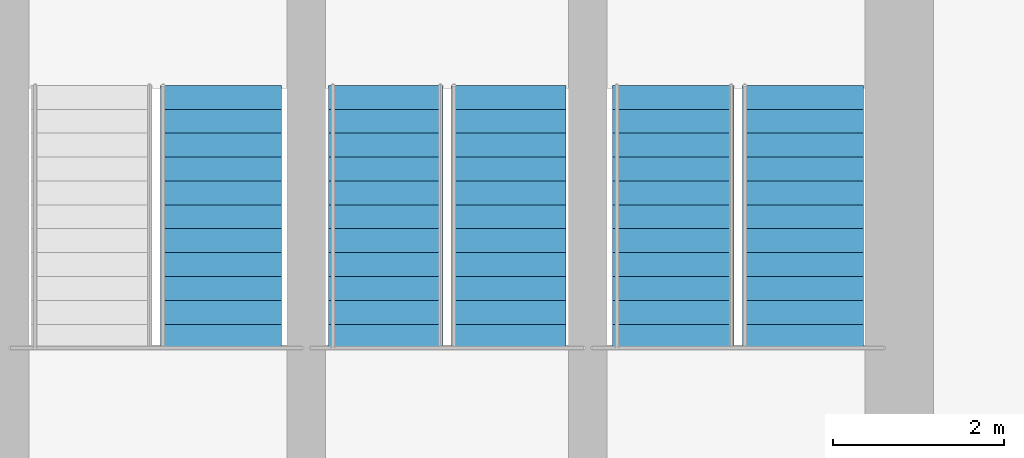
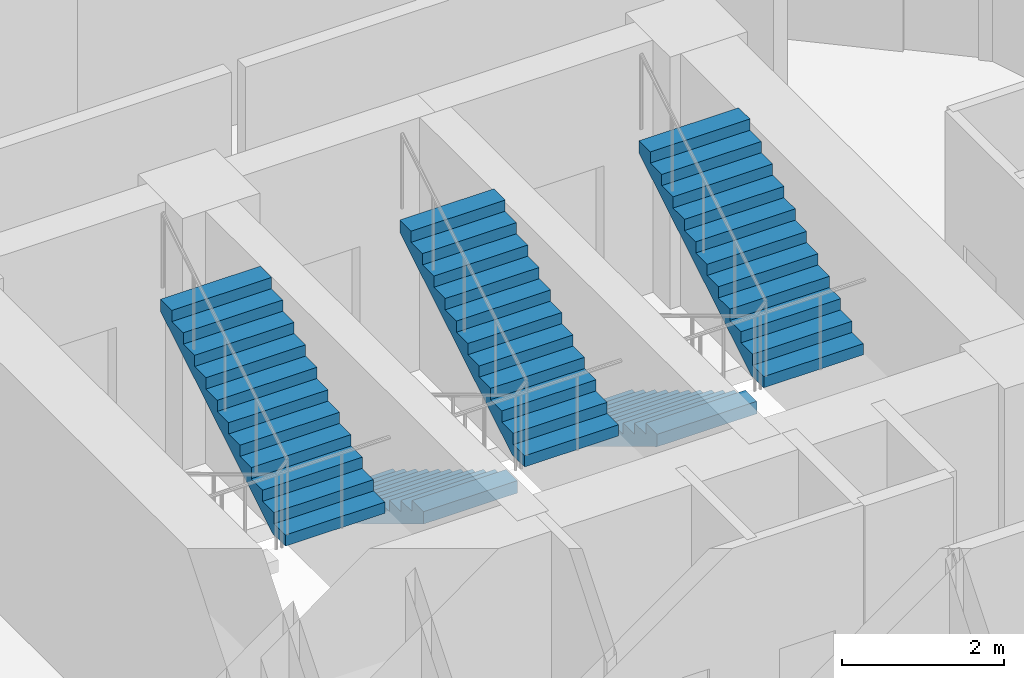
# One storey, part 24 of 25: 5 stair flights, 3 elements without a shape of their own.
"""IFC4 building model written with IfcOpenShell, lengths in metres."""

from ifc_helpers import new_model, si_unit, direction, frame, origin, place, context, subcontext, project, spatial, polyline, outline, extrude, material, type_object, element, aggregate, save


model = new_model("IFC4")

# Units and contexts
model_context = context("Model", 3, precision=1e-05, world=origin(), true_north=direction((0.0, 1.0)))
body_context = subcontext(model_context, "Body", "Model", "MODEL_VIEW")
ifc_project = project(units=[si_unit("LENGTHUNIT", "METRE"), si_unit("AREAUNIT", "SQUARE_METRE"), si_unit("VOLUMEUNIT", "CUBIC_METRE"), si_unit("PLANEANGLEUNIT", "RADIAN"), si_unit("MASSUNIT", "GRAM", prefix="KILO")], contexts=[model_context])

# Site, building, storey
site_placement = place(None, origin())
site = spatial("IfcSite", under=ifc_project, at=site_placement, CompositionType="ELEMENT")
building_placement = place(site_placement, origin())
building = spatial("IfcBuilding", under=site, at=building_placement, Name="Nuhasar Tower", CompositionType="ELEMENT")
storey_placement = place(building_placement, frame((0.0, 0.0, 57.449951171875)))
storey = spatial("IfcBuildingStorey", under=building, at=storey_placement, Name="L13", CompositionType="ELEMENT", Elevation=57.449951171875)

# Stair, stair flight
ifc_material = material(Name="Concrete C45/55", Category="concrete")
stair_type_1 = type_object("IfcStairType", Name="STR-ST-01-2F-24R-1688", PredefinedType="HALF_TURN_STAIR", material=ifc_material)
stair_1_placement = place(storey_placement, origin())
stair_1 = element("IfcStair", 1, at=stair_1_placement, inside=storey, type_object=stair_type_1, Name="L13 Exit Stair ST-01", PredefinedType="HALF_TURN_STAIR")
stair_flight_type_1 = type_object("IfcStairFlightType", Name="SFL-ST-01-12R-1688", PredefinedType="STRAIGHT", material=ifc_material)
stair_flight_1_placement = place(storey_placement, frame((36.35009765625, 32.205078125, 2.025146484375), z_axis=(0.0, 0.0, 1.0), x_axis=(0.0, 1.0, 0.0)))
stair_flight_1 = element("IfcStairFlight", 2, at=stair_flight_1_placement, type_object=stair_flight_type_1, Name="ST-01 flight 2", NumberOfRisers=12, NumberOfTreads=11, PredefinedType="STRAIGHT", RiserHeight=0.16875, TreadLength=0.28, context=body_context, shape_type="SweptSolid", body=[
    extrude(outline(polyline([(0.0, 0.0), (0.0, 0.168701171875), (0.280029296875, 0.168701171875), (0.280029296875, 0.33740234375), (0.56005859375, 0.33740234375), (0.56005859375, 0.50634765625), (0.840087890625, 0.50634765625), (0.840087890625, 0.675048828125), (1.1201171875, 0.675048828125), (1.1201171875, 0.84375), (1.39990234375, 0.84375), (1.39990234375, 1.012451171875), (1.679931640625, 1.012451171875), (1.679931640625, 1.18115234375), (1.9599609375, 1.18115234375), (1.9599609375, 1.35009765625), (2.239990234375, 1.35009765625), (2.239990234375, 1.518798828125), (2.52001953125, 1.518798828125), (2.52001953125, 1.6875), (2.800048828125, 1.6875), (2.800048828125, 1.856201171875), (3.080078125, 1.856201171875), (3.080078125, 2.02490234375), (3.080078125, 1.66943359375), (0.309814453125, 0.0), (0.0, 0.0)])), frame((0.0, 0.7099609375, 0.0), z_axis=(0.0, -1.0, 0.0), x_axis=(1.0, 0.0, 0.0)), (0.0, 0.0, 1.0), 1.419921875),
])
aggregate(stair_1, [stair_flight_1])

# Stair, stair flights
stair_type_2 = type_object("IfcStairType", Name="STR-ST-02-2F-24R-1688", PredefinedType="HALF_TURN_STAIR", material=ifc_material)
stair_2_placement = place(storey_placement, origin())
stair_2 = element("IfcStair", 3, at=stair_2_placement, inside=storey, type_object=stair_type_2, Name="L13 Exit Stair ST-02", PredefinedType="HALF_TURN_STAIR")
stair_flight_type_2 = type_object("IfcStairFlightType", Name="SFL-ST-02-12R-1688", PredefinedType="STRAIGHT", material=ifc_material)
stair_flight_2_placement = place(storey_placement, frame((41.64990234375, 35.284912109375, 0.0), z_axis=(0.0, 0.0, 1.0), x_axis=(0.0, -1.0, 0.0)))
stair_flight_2 = element("IfcStairFlight", 4, at=stair_flight_2_placement, type_object=stair_flight_type_2, Name="ST-02 flight 1", NumberOfRisers=12, NumberOfTreads=11, PredefinedType="STRAIGHT", RiserHeight=0.16875, TreadLength=0.28, context=body_context, shape_type="SweptSolid", body=[
    extrude(outline(polyline([(0.0, 0.0), (0.0, 0.168701171875), (0.280029296875, 0.168701171875), (0.280029296875, 0.33740234375), (0.56005859375, 0.33740234375), (0.56005859375, 0.50634765625), (0.840087890625, 0.50634765625), (0.840087890625, 0.675048828125), (1.1201171875, 0.675048828125), (1.1201171875, 0.84375), (1.39990234375, 0.84375), (1.39990234375, 1.012451171875), (1.679931640625, 1.012451171875), (1.679931640625, 1.18115234375), (1.9599609375, 1.18115234375), (1.9599609375, 1.35009765625), (2.239990234375, 1.35009765625), (2.239990234375, 1.518798828125), (2.52001953125, 1.518798828125), (2.52001953125, 1.6875), (2.800048828125, 1.6875), (2.800048828125, 1.856201171875), (3.080078125, 1.856201171875), (3.080078125, 2.02490234375), (3.080078125, 1.66943359375), (0.309814453125, 0.0), (0.0, 0.0)])), frame((0.0, 0.7099609375, 0.0), z_axis=(0.0, -1.0, 0.0), x_axis=(1.0, 0.0, 0.0)), (0.0, 0.0, 1.0), 1.419921875),
])
stair_flight_3_placement = place(storey_placement, frame((43.169921875, 32.205078125, 2.025146484375), z_axis=(0.0, 0.0, 1.0), x_axis=(0.0, 1.0, 0.0)))
stair_flight_3 = element("IfcStairFlight", 5, at=stair_flight_3_placement, type_object=stair_flight_type_2, Name="ST-02 flight 2", NumberOfRisers=12, NumberOfTreads=11, PredefinedType="STRAIGHT", RiserHeight=0.16875, TreadLength=0.28, context=body_context, shape_type="SweptSolid", body=[
    extrude(outline(polyline([(0.0, 0.0), (0.0, 0.168701171875), (0.280029296875, 0.168701171875), (0.280029296875, 0.33740234375), (0.56005859375, 0.33740234375), (0.56005859375, 0.50634765625), (0.840087890625, 0.50634765625), (0.840087890625, 0.675048828125), (1.1201171875, 0.675048828125), (1.1201171875, 0.84375), (1.39990234375, 0.84375), (1.39990234375, 1.012451171875), (1.679931640625, 1.012451171875), (1.679931640625, 1.18115234375), (1.9599609375, 1.18115234375), (1.9599609375, 1.35009765625), (2.239990234375, 1.35009765625), (2.239990234375, 1.518798828125), (2.52001953125, 1.518798828125), (2.52001953125, 1.6875), (2.800048828125, 1.6875), (2.800048828125, 1.856201171875), (3.080078125, 1.856201171875), (3.080078125, 2.02490234375), (3.080078125, 1.66943359375), (0.309814453125, 0.0), (0.0, 0.0)])), frame((0.0, 0.7099609375, 0.0), z_axis=(0.0, -1.0, 0.0), x_axis=(1.0, 0.0, 0.0)), (0.0, 0.0, 1.0), 1.419921875),
])
aggregate(stair_2, [stair_flight_2, stair_flight_3])

stair_type_3 = type_object("IfcStairType", Name="STR-ST-03-2F-24R-1688", PredefinedType="HALF_TURN_STAIR", material=ifc_material)
stair_3_placement = place(storey_placement, origin())
stair_3 = element("IfcStair", 6, at=stair_3_placement, inside=storey, type_object=stair_type_3, Name="L13 Exit Stair ST-03", PredefinedType="HALF_TURN_STAIR")
stair_flight_type_3 = type_object("IfcStairFlightType", Name="SFL-ST-03-12R-1688", PredefinedType="STRAIGHT", material=ifc_material)
stair_flight_4_placement = place(storey_placement, frame((38.280029296875, 35.284912109375, 0.0), z_axis=(0.0, 0.0, 1.0), x_axis=(0.0, -1.0, 0.0)))
stair_flight_4 = element("IfcStairFlight", 7, at=stair_flight_4_placement, type_object=stair_flight_type_3, Name="ST-03 flight 1", NumberOfRisers=12, NumberOfTreads=11, PredefinedType="STRAIGHT", RiserHeight=0.16875, TreadLength=0.28, context=body_context, shape_type="SweptSolid", body=[
    extrude(outline(polyline([(0.0, 0.0), (0.0, 0.168701171875), (0.280029296875, 0.168701171875), (0.280029296875, 0.33740234375), (0.56005859375, 0.33740234375), (0.56005859375, 0.50634765625), (0.840087890625, 0.50634765625), (0.840087890625, 0.675048828125), (1.1201171875, 0.675048828125), (1.1201171875, 0.84375), (1.39990234375, 0.84375), (1.39990234375, 1.012451171875), (1.679931640625, 1.012451171875), (1.679931640625, 1.18115234375), (1.9599609375, 1.18115234375), (1.9599609375, 1.35009765625), (2.239990234375, 1.35009765625), (2.239990234375, 1.518798828125), (2.52001953125, 1.518798828125), (2.52001953125, 1.6875), (2.800048828125, 1.6875), (2.800048828125, 1.856201171875), (3.080078125, 1.856201171875), (3.080078125, 2.02490234375), (3.080078125, 1.66943359375), (0.309814453125, 0.0), (0.0, 0.0)])), frame((0.0, 0.669921875, 0.0), z_axis=(0.0, -1.0, 0.0), x_axis=(1.0, 0.0, 0.0)), (0.0, 0.0, 1.0), 1.340087890625),
])
stair_flight_5_placement = place(storey_placement, frame((39.719970703125, 32.205078125, 2.025146484375), z_axis=(0.0, 0.0, 1.0), x_axis=(0.0, 1.0, 0.0)))
stair_flight_5 = element("IfcStairFlight", 8, at=stair_flight_5_placement, type_object=stair_flight_type_3, Name="ST-03 flight 2", NumberOfRisers=12, NumberOfTreads=11, PredefinedType="STRAIGHT", RiserHeight=0.16875, TreadLength=0.28, context=body_context, shape_type="SweptSolid", body=[
    extrude(outline(polyline([(0.0, 0.0), (0.0, 0.168701171875), (0.280029296875, 0.168701171875), (0.280029296875, 0.33740234375), (0.56005859375, 0.33740234375), (0.56005859375, 0.50634765625), (0.840087890625, 0.50634765625), (0.840087890625, 0.675048828125), (1.1201171875, 0.675048828125), (1.1201171875, 0.84375), (1.39990234375, 0.84375), (1.39990234375, 1.012451171875), (1.679931640625, 1.012451171875), (1.679931640625, 1.18115234375), (1.9599609375, 1.18115234375), (1.9599609375, 1.35009765625), (2.239990234375, 1.35009765625), (2.239990234375, 1.518798828125), (2.52001953125, 1.518798828125), (2.52001953125, 1.6875), (2.800048828125, 1.6875), (2.800048828125, 1.856201171875), (3.080078125, 1.856201171875), (3.080078125, 2.02490234375), (3.080078125, 1.66943359375), (0.309814453125, 0.0), (0.0, 0.0)])), frame((0.0, 0.669921875, 0.0), z_axis=(0.0, -1.0, 0.0), x_axis=(1.0, 0.0, 0.0)), (0.0, 0.0, 1.0), 1.340087890625),
])
aggregate(stair_3, [stair_flight_4, stair_flight_5])

save(model, "model.ifc")
